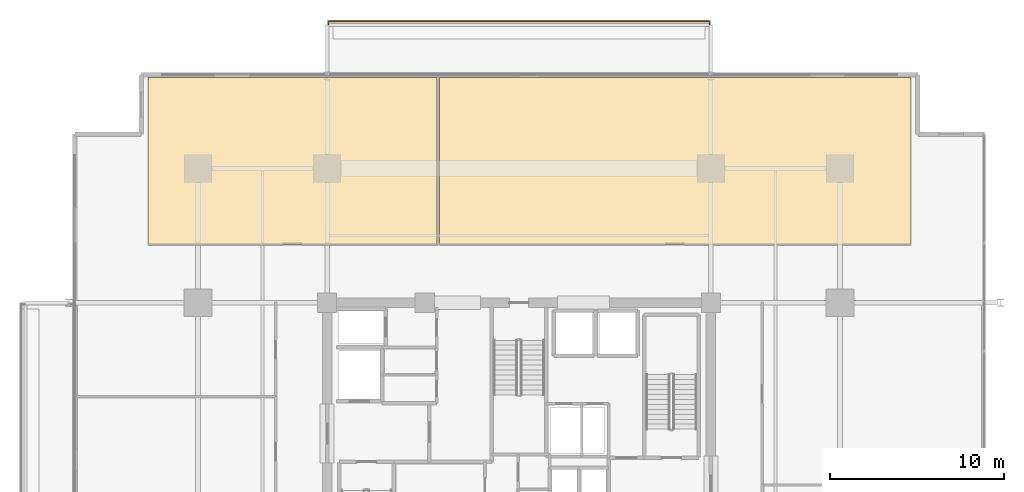
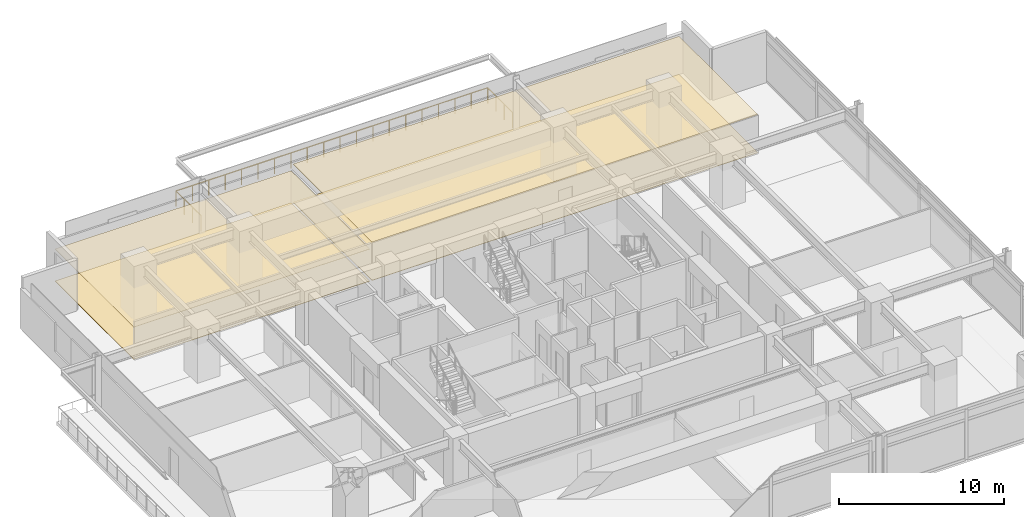
# One storey, part 20 of 20: 4 coverings, 1 railing.
"""IFC4 building model written with IfcOpenShell, lengths in metres."""

from ifc_helpers import new_model, si_unit, direction, frame, origin, origin_2d, place, context, subcontext, project, spatial, polyline, circle, outline, extrude, material, layer, layer_set, type_object, element, save


model = new_model("IFC4")

# Units and contexts
model_context = context("Model", 3, precision=1e-05, world=origin(), true_north=direction((0.0, 1.0)))
body_context = subcontext(model_context, "Body", "Model", "MODEL_VIEW")
ifc_project = project(units=[si_unit("LENGTHUNIT", "METRE"), si_unit("AREAUNIT", "SQUARE_METRE"), si_unit("VOLUMEUNIT", "CUBIC_METRE"), si_unit("PLANEANGLEUNIT", "RADIAN"), si_unit("MASSUNIT", "GRAM", prefix="KILO")], contexts=[model_context])

# Site, building, storey
site_placement = place(None, origin())
site = spatial("IfcSite", under=ifc_project, at=site_placement, CompositionType="ELEMENT")
building_placement = place(site_placement, origin())
building = spatial("IfcBuilding", under=site, at=building_placement, Name="Kovane Verandah Tower", CompositionType="ELEMENT")
storey_placement = place(building_placement, frame((0.0, 0.0, 160.39990234375)))
storey = spatial("IfcBuildingStorey", under=building, at=storey_placement, Name="L37", CompositionType="ELEMENT", Elevation=160.39990234375)

# Coverings
ifc_material_1 = material(Name="Perforated Acoustic Mineral-Fibre Ceiling Tile", Category="gypsum")
ifc_layer_1 = layer(ifc_material_1, 0.02490234375)
ifc_layer_set_1 = layer_set([ifc_layer_1], Name="Perforated Acoustic Mineral-Fibre Ceiling Tile")
covering_type_1 = type_object("IfcCoveringType", Name="CV-CEIL-25", PredefinedType="CEILING", material=ifc_layer_set_1)
covering_1_placement = place(storey_placement, frame((0.0, 0.0, 2.380126953125)))
element("IfcCovering", 1, at=covering_1_placement, inside=storey, type_object=covering_type_1, Name="L37 Focus Studio N1 Acoustic Ceiling", PredefinedType="CEILING", context=body_context, shape_type="SweptSolid", body=[
    extrude(outline(polyline([(18.740966796875, 39.85009765625), (35.288818359375, 39.85009765625), (35.288818359375, 49.411376953125), (18.740966796875, 49.411376953125), (18.740966796875, 39.85009765625)])), origin(), (0.0, 0.0, 1.0), 0.02490234375),
])
covering_2_placement = place(storey_placement, frame((0.0, 0.0, 2.8251953125)))
element("IfcCovering", 2, at=covering_2_placement, inside=storey, type_object=covering_type_1, Name="L37 Breakout Pantry N2 Acoustic Ceiling", PredefinedType="CEILING", context=body_context, shape_type="SweptSolid", body=[
    extrude(outline(polyline([(35.428955078125, 39.85009765625), (62.472412109375, 39.85009765625), (62.472412109375, 49.411376953125), (35.428955078125, 49.411376953125), (35.428955078125, 39.85009765625)])), origin(), (0.0, 0.0, 1.0), 0.02490234375),
])
ifc_material_2 = material(Name="Polished Terrazzo and Raised-Access Carpet Tile Finish", Category="concrete")
ifc_layer_2 = layer(ifc_material_2, 0.030029296875)
ifc_layer_set_2 = layer_set([ifc_layer_2], Name="Polished Terrazzo and Raised-Access Carpet Tile Finish")
covering_type_2 = type_object("IfcCoveringType", Name="CV-FLOR-30", PredefinedType="FLOORING", material=ifc_layer_set_2)
covering_3_placement = place(storey_placement, origin())
element("IfcCovering", 3, at=covering_3_placement, inside=storey, type_object=covering_type_2, Name="L37 Focus Studio N1 Floor Finish", PredefinedType="FLOORING", context=body_context, shape_type="SweptSolid", body=[
    extrude(outline(polyline([(18.740966796875, 39.85009765625), (35.288818359375, 39.85009765625), (35.288818359375, 49.411376953125), (18.740966796875, 49.411376953125), (18.740966796875, 39.85009765625)])), origin(), (0.0, 0.0, 1.0), 0.030029296875),
])
covering_4_placement = place(storey_placement, origin())
element("IfcCovering", 4, at=covering_4_placement, inside=storey, type_object=covering_type_2, Name="L37 Breakout Pantry N2 Floor Finish", PredefinedType="FLOORING", context=body_context, shape_type="SweptSolid", body=[
    extrude(outline(polyline([(35.428955078125, 39.85009765625), (62.472412109375, 39.85009765625), (62.472412109375, 49.411376953125), (35.428955078125, 49.411376953125), (35.428955078125, 39.85009765625)])), origin(), (0.0, 0.0, 1.0), 0.030029296875),
])

# Railing
ifc_material_3 = material(Name="Laminated Glass and Pale-Champagne Stainless Balustrade", Category="glass")
railing_type = type_object("IfcRailingType", Name="RL-BAL-1150", PredefinedType="BALUSTRADE", material=ifc_material_3)
railing_placement = place(storey_placement, frame((29.080078125, 49.611328125, 0.0)))
element("IfcRailing", 5, at=railing_placement, inside=storey, type_object=railing_type, Name="L37 N Verandah Glass Balustrade", PredefinedType="BALUSTRADE", context=body_context, shape_type="SweptSolid", body=[
    extrude(circle(Radius=0.02392578125, at=origin_2d()), frame((0.0, 0.0, 1.1259765625), z_axis=(0.0, 1.0, 0.0), x_axis=(-1.0, 0.0, 0.0)), (0.0, 0.0, 1.0), 3.02001953125),
    extrude(circle(Radius=0.02392578125, at=origin_2d()), frame((0.0, 3.02001953125, 1.1259765625), z_axis=(1.0, 0.0, 0.0), x_axis=(0.0, 1.0, 0.0)), (0.0, 0.0, 1.0), 21.83984375),
    extrude(circle(Radius=0.02392578125, at=origin_2d()), frame((21.83984375, 3.02001953125, 1.1259765625), z_axis=(0.0, -1.0, 0.0), x_axis=(1.0, 0.0, 0.0)), (0.0, 0.0, 1.0), 3.02001953125),
    extrude(circle(Radius=0.02099609375, at=origin_2d()), origin(), (0.0, 0.0, 1.0), 1.101806640625),
    extrude(circle(Radius=0.02099609375, at=origin_2d()), frame((0.0, 1.006591796875, 0.0)), (0.0, 0.0, 1.0), 1.101806640625),
    extrude(circle(Radius=0.02099609375, at=origin_2d()), frame((0.0, 2.013427734375, 0.0)), (0.0, 0.0, 1.0), 1.101806640625),
    extrude(circle(Radius=0.02099609375, at=origin_2d()), frame((0.0, 3.02001953125, 0.0)), (0.0, 0.0, 1.0), 1.101806640625),
    extrude(circle(Radius=0.02099609375, at=origin_2d()), frame((1.1494140625, 3.02001953125, 0.0)), (0.0, 0.0, 1.0), 1.101806640625),
    extrude(circle(Radius=0.02099609375, at=origin_2d()), frame((2.298828125, 3.02001953125, 0.0)), (0.0, 0.0, 1.0), 1.101806640625),
    extrude(circle(Radius=0.02099609375, at=origin_2d()), frame((3.448486328125, 3.02001953125, 0.0)), (0.0, 0.0, 1.0), 1.101806640625),
    extrude(circle(Radius=0.02099609375, at=origin_2d()), frame((4.597900390625, 3.02001953125, 0.0)), (0.0, 0.0, 1.0), 1.101806640625),
    extrude(circle(Radius=0.02099609375, at=origin_2d()), frame((5.747314453125, 3.02001953125, 0.0)), (0.0, 0.0, 1.0), 1.101806640625),
    extrude(circle(Radius=0.02099609375, at=origin_2d()), frame((6.896728515625, 3.02001953125, 0.0)), (0.0, 0.0, 1.0), 1.101806640625),
    extrude(circle(Radius=0.02099609375, at=origin_2d()), frame((8.046142578125, 3.02001953125, 0.0)), (0.0, 0.0, 1.0), 1.101806640625),
    extrude(circle(Radius=0.02099609375, at=origin_2d()), frame((9.19580078125, 3.02001953125, 0.0)), (0.0, 0.0, 1.0), 1.101806640625),
    extrude(circle(Radius=0.02099609375, at=origin_2d()), frame((10.34521484375, 3.02001953125, 0.0)), (0.0, 0.0, 1.0), 1.101806640625),
    extrude(circle(Radius=0.02099609375, at=origin_2d()), frame((11.49462890625, 3.02001953125, 0.0)), (0.0, 0.0, 1.0), 1.101806640625),
    extrude(circle(Radius=0.02099609375, at=origin_2d()), frame((12.64404296875, 3.02001953125, 0.0)), (0.0, 0.0, 1.0), 1.101806640625),
    extrude(circle(Radius=0.02099609375, at=origin_2d()), frame((13.793701171875, 3.02001953125, 0.0)), (0.0, 0.0, 1.0), 1.101806640625),
    extrude(circle(Radius=0.02099609375, at=origin_2d()), frame((14.943115234375, 3.02001953125, 0.0)), (0.0, 0.0, 1.0), 1.101806640625),
    extrude(circle(Radius=0.02099609375, at=origin_2d()), frame((16.092529296875, 3.02001953125, 0.0)), (0.0, 0.0, 1.0), 1.101806640625),
    extrude(circle(Radius=0.02099609375, at=origin_2d()), frame((17.241943359375, 3.02001953125, 0.0)), (0.0, 0.0, 1.0), 1.101806640625),
    extrude(circle(Radius=0.02099609375, at=origin_2d()), frame((18.391357421875, 3.02001953125, 0.0)), (0.0, 0.0, 1.0), 1.101806640625),
    extrude(circle(Radius=0.02099609375, at=origin_2d()), frame((19.541015625, 3.02001953125, 0.0)), (0.0, 0.0, 1.0), 1.101806640625),
    extrude(circle(Radius=0.02099609375, at=origin_2d()), frame((20.6904296875, 3.02001953125, 0.0)), (0.0, 0.0, 1.0), 1.101806640625),
    extrude(circle(Radius=0.02099609375, at=origin_2d()), frame((21.83984375, 3.02001953125, 0.0)), (0.0, 0.0, 1.0), 1.101806640625),
    extrude(circle(Radius=0.02099609375, at=origin_2d()), frame((21.83984375, 2.013427734375, 0.0)), (0.0, 0.0, 1.0), 1.101806640625),
    extrude(circle(Radius=0.02099609375, at=origin_2d()), frame((21.83984375, 1.006591796875, 0.0)), (0.0, 0.0, 1.0), 1.101806640625),
    extrude(circle(Radius=0.02099609375, at=origin_2d()), frame((21.83984375, 0.0, 0.0)), (0.0, 0.0, 1.0), 1.101806640625),
])

save(model, "model.ifc")
